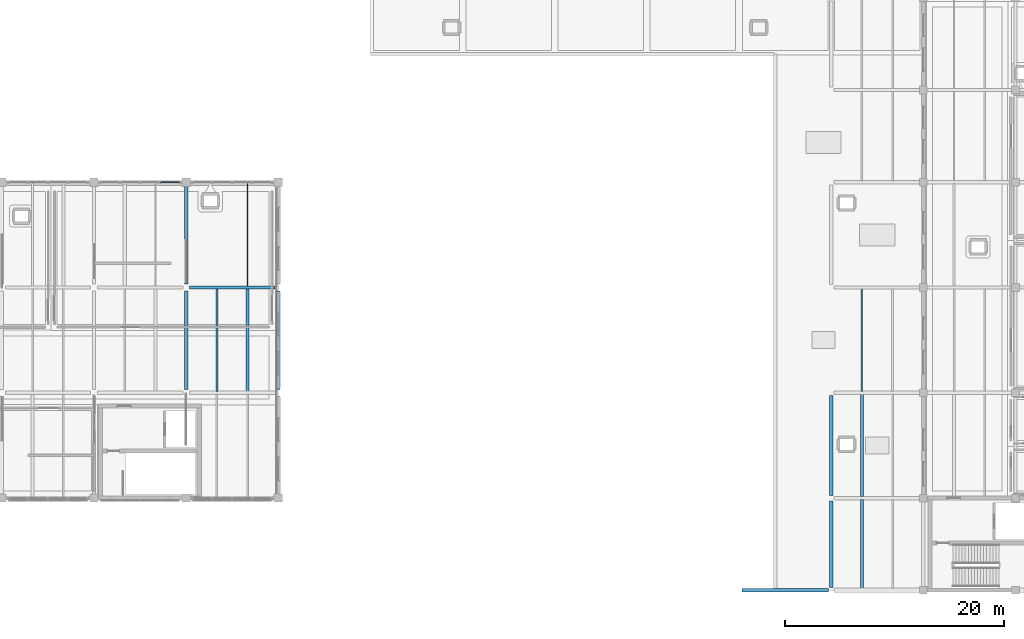
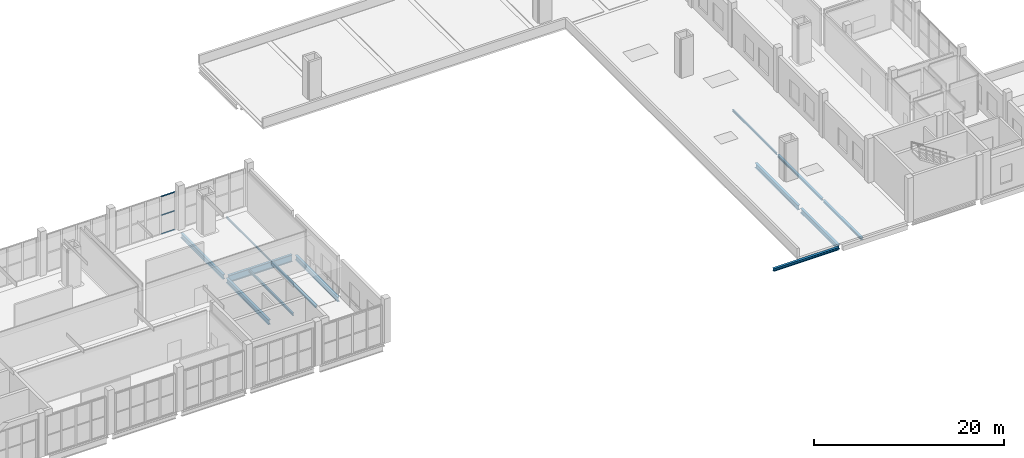
# One storey, part 17 of 49: 13 beams, 3 members, 1 element without a shape of its own.
"""IFC4 building model written with IfcOpenShell, lengths in metres."""

from ifc_helpers import new_model, si_unit, direction, frame, origin, origin_2d, place, context, subcontext, project, spatial, hollow_rectangle, i_section, extrude, material, layer, layer_set, material_profile, profile_set, type_object, element, aggregate, save


model = new_model("IFC4")

# Units and contexts
model_context = context("Model", 3, precision=1e-05, world=origin(), true_north=direction((0.0, 1.0)))
body_context = subcontext(model_context, "Body", "Model", "MODEL_VIEW")
ifc_project = project(units=[si_unit("LENGTHUNIT", "METRE"), si_unit("AREAUNIT", "SQUARE_METRE"), si_unit("VOLUMEUNIT", "CUBIC_METRE"), si_unit("PLANEANGLEUNIT", "RADIAN"), si_unit("MASSUNIT", "GRAM", prefix="KILO")], contexts=[model_context])

# Site, building, storey
site_placement = place(None, origin())
site = spatial("IfcSite", under=ifc_project, at=site_placement, CompositionType="ELEMENT")
building_placement = place(site_placement, origin())
building = spatial("IfcBuilding", under=site, at=building_placement, Name="Zulmaris Art Gallery", CompositionType="ELEMENT")
storey_placement = place(building_placement, frame((0.0, 0.0, 20.699951171875)))
storey = spatial("IfcBuildingStorey", under=building, at=storey_placement, Name="L04", CompositionType="ELEMENT", Elevation=20.699951171875)

# Beams
ifc_material_1 = material(Name="Steel S355J2", Category="steel")
ifc_material_profile_1 = material_profile(ifc_material_1, i_section(OverallWidth=0.300048828125, OverallDepth=0.590087890625, WebThickness=0.012939453125, FlangeThickness=0.02490234375, FilletRadius=0.027099609375, at=origin_2d()), Name="HEA 600")
ifc_profile_set_1 = profile_set([ifc_material_profile_1], Name="Steel S355J2")
beam_type_1 = type_object("IfcBeamType", Name="BEAM-BM12", PredefinedType="BEAM", material=ifc_profile_set_1)
beam_1_placement = place(storey_placement, frame((74.39990234375, 31.510009765625, -0.655029296875), z_axis=(0.0, 1.0, 0.0), x_axis=(-1.0, 0.0, 0.0)))
element("IfcBeam", 1, at=beam_1_placement, inside=storey, type_object=beam_type_1, Name="L04 Y-girder (x=74.4, 31.2..40.8)", PredefinedType="BEAM", context=body_context, shape_type="SweptSolid", body=[
    extrude(i_section(OverallWidth=0.300048828125, OverallDepth=0.590087890625, WebThickness=0.012939453125, FlangeThickness=0.02490234375, FilletRadius=0.027099609375, at=origin_2d()), origin(), (0.0, 0.0, 1.0), 8.97998046875),
])
beam_2_placement = place(storey_placement, frame((133.199951171875, 13.4599609375, -0.655029296875), z_axis=(0.0, 1.0, 0.0), x_axis=(-1.0, 0.0, 0.0)))
element("IfcBeam", 2, at=beam_2_placement, inside=storey, type_object=beam_type_1, Name="L04 Y-girder (x=133.2, 13.2..21.6)", PredefinedType="BEAM", context=body_context, shape_type="SweptSolid", body=[
    extrude(i_section(OverallWidth=0.300048828125, OverallDepth=0.590087890625, WebThickness=0.012939453125, FlangeThickness=0.02490234375, FilletRadius=0.027099609375, at=origin_2d()), origin(), (0.0, 0.0, 1.0), 7.880126953125),
])
ifc_material_profile_2 = material_profile(ifc_material_1, i_section(OverallWidth=0.300048828125, OverallDepth=0.60009765625, WebThickness=0.015380859375, FlangeThickness=0.030029296875, FilletRadius=0.027099609375, at=origin_2d()), Name="HEB 600")
ifc_profile_set_2 = profile_set([ifc_material_profile_2], Name="Steel S355J2")
beam_type_2 = type_object("IfcBeamType", Name="BEAM-BM15", PredefinedType="BEAM", material=ifc_profile_set_2)
beam_3_placement = place(storey_placement, frame((74.39990234375, 41.110107421875, -0.659912109375), z_axis=(0.0, 1.0, 0.0), x_axis=(-1.0, 0.0, 0.0)))
element("IfcBeam", 3, at=beam_3_placement, inside=storey, type_object=beam_type_2, Name="L04 Y-girder (x=74.4, 40.8..50.4)", PredefinedType="BEAM", context=body_context, shape_type="SweptSolid", body=[
    extrude(i_section(OverallWidth=0.300048828125, OverallDepth=0.60009765625, WebThickness=0.015380859375, FlangeThickness=0.030029296875, FilletRadius=0.027099609375, at=origin_2d()), origin(), (0.0, 0.0, 1.0), 8.929931640625),
])
beam_4_placement = place(storey_placement, frame((82.800048828125, 31.510009765625, -0.659912109375), z_axis=(0.0, 1.0, 0.0), x_axis=(-1.0, 0.0, 0.0)))
element("IfcBeam", 4, at=beam_4_placement, inside=storey, type_object=beam_type_2, Name="L04 Y-girder (x=82.8, 31.2..40.8)", PredefinedType="BEAM", context=body_context, shape_type="SweptSolid", body=[
    extrude(i_section(OverallWidth=0.300048828125, OverallDepth=0.60009765625, WebThickness=0.015380859375, FlangeThickness=0.030029296875, FilletRadius=0.027099609375, at=origin_2d()), origin(), (0.0, 0.0, 1.0), 8.97998046875),
])
beam_5_placement = place(storey_placement, frame((133.199951171875, 21.860107421875, -0.659912109375), z_axis=(0.0, 1.0, 0.0), x_axis=(-1.0, 0.0, 0.0)))
element("IfcBeam", 5, at=beam_5_placement, inside=storey, type_object=beam_type_2, Name="L04 Y-girder (x=133.2, 21.6..31.2)", PredefinedType="BEAM", context=body_context, shape_type="SweptSolid", body=[
    extrude(i_section(OverallWidth=0.300048828125, OverallDepth=0.60009765625, WebThickness=0.015380859375, FlangeThickness=0.030029296875, FilletRadius=0.027099609375, at=origin_2d()), origin(), (0.0, 0.0, 1.0), 9.079833984375),
])
ifc_material_profile_3 = material_profile(ifc_material_1, i_section(OverallWidth=0.300048828125, OverallDepth=0.89990234375, WebThickness=0.0185546875, FlangeThickness=0.034912109375, FilletRadius=0.030029296875, at=origin_2d()), Name="HEB 900")
ifc_profile_set_3 = profile_set([ifc_material_profile_3], Name="Steel S355J2")
beam_type_3 = type_object("IfcBeamType", Name="BEAM-BM18", PredefinedType="BEAM", material=ifc_profile_set_3)
beam_6_placement = place(storey_placement, frame((74.7099609375, 40.800048828125, -0.81005859375), z_axis=(1.0, 0.0, 0.0), x_axis=(0.0, 1.0, 0.0)))
element("IfcBeam", 6, at=beam_6_placement, inside=storey, type_object=beam_type_3, Name="L04 X-girder (74.4..82.8, y=40.8)", PredefinedType="BEAM", context=body_context, shape_type="SweptSolid", body=[
    extrude(i_section(OverallWidth=0.300048828125, OverallDepth=0.89990234375, WebThickness=0.0185546875, FlangeThickness=0.034912109375, FilletRadius=0.030029296875, at=origin_2d()), origin(), (0.0, 0.0, 1.0), 7.780029296875),
])
ifc_material_profile_4 = material_profile(ifc_material_1, i_section(OverallWidth=0.1201171875, OverallDepth=0.239990234375, WebThickness=0.006103515625, FlangeThickness=0.009765625, FilletRadius=0.014892578125, at=origin_2d()), Name="IPE 240")
ifc_profile_set_4 = profile_set([ifc_material_profile_4], Name="Steel S355J2")
beam_type_4 = type_object("IfcBeamType", Name="BEAM-JS01", PredefinedType="JOIST", material=ifc_profile_set_4)
beam_7_placement = place(storey_placement, frame((80.0, 40.925048828125, -0.47998046875), z_axis=(0.0, 1.0, 0.0), x_axis=(-1.0, 0.0, 0.0)))
element("IfcBeam", 7, at=beam_7_placement, inside=storey, type_object=beam_type_4, Name="L04 secondary joist at x=80.0", PredefinedType="JOIST", context=body_context, shape_type="SweptSolid", body=[
    extrude(i_section(OverallWidth=0.1201171875, OverallDepth=0.239990234375, WebThickness=0.006103515625, FlangeThickness=0.009765625, FilletRadius=0.014892578125, at=origin_2d()), origin(), (0.0, 0.0, 1.0), 9.349853515625),
])
ifc_material_profile_5 = material_profile(ifc_material_1, i_section(OverallWidth=0.135009765625, OverallDepth=0.27001953125, WebThickness=0.006591796875, FlangeThickness=0.01025390625, FilletRadius=0.014892578125, at=origin_2d()), Name="IPE 270")
ifc_profile_set_5 = profile_set([ifc_material_profile_5], Name="Steel S355J2")
beam_type_5 = type_object("IfcBeamType", Name="BEAM-JS02", PredefinedType="JOIST", material=ifc_profile_set_5)
beam_8_placement = place(storey_placement, frame((136.0, 31.324951171875, -0.494873046875), z_axis=(0.0, 1.0, 0.0), x_axis=(-1.0, 0.0, 0.0)))
element("IfcBeam", 8, at=beam_8_placement, inside=storey, type_object=beam_type_5, Name="L04 secondary joist at x=136.0", PredefinedType="JOIST", context=body_context, shape_type="SweptSolid", body=[
    extrude(i_section(OverallWidth=0.135009765625, OverallDepth=0.27001953125, WebThickness=0.006591796875, FlangeThickness=0.01025390625, FilletRadius=0.014892578125, at=origin_2d()), origin(), (0.0, 0.0, 1.0), 9.35009765625),
])
ifc_material_profile_6 = material_profile(ifc_material_1, i_section(OverallWidth=0.159912109375, OverallDepth=0.330078125, WebThickness=0.007568359375, FlangeThickness=0.011474609375, FilletRadius=0.01806640625, at=origin_2d()), Name="IPE 330")
ifc_profile_set_6 = profile_set([ifc_material_profile_6], Name="Steel S355J2")
beam_type_6 = type_object("IfcBeamType", Name="BEAM-JS03", PredefinedType="JOIST", material=ifc_profile_set_6)
beam_9_placement = place(storey_placement, frame((77.199951171875, 31.324951171875, -0.52490234375), z_axis=(0.0, 1.0, 0.0), x_axis=(-1.0, 0.0, 0.0)))
element("IfcBeam", 9, at=beam_9_placement, inside=storey, type_object=beam_type_6, Name="L04 secondary joist at x=77.2", PredefinedType="JOIST", context=body_context, shape_type="SweptSolid", body=[
    extrude(i_section(OverallWidth=0.159912109375, OverallDepth=0.330078125, WebThickness=0.007568359375, FlangeThickness=0.011474609375, FilletRadius=0.01806640625, at=origin_2d()), origin(), (0.0, 0.0, 1.0), 9.35009765625),
])
ifc_material_profile_7 = material_profile(ifc_material_1, i_section(OverallWidth=0.280029296875, OverallDepth=0.27001953125, WebThickness=0.008056640625, FlangeThickness=0.012939453125, FilletRadius=0.02392578125, at=origin_2d()), Name="HEA 280")
ifc_profile_set_7 = profile_set([ifc_material_profile_7], Name="Steel S355J2")
beam_type_7 = type_object("IfcBeamType", Name="BEAM-JS04", PredefinedType="JOIST", material=ifc_profile_set_7)
beam_10_placement = place(storey_placement, frame((80.0, 31.324951171875, -0.494873046875), z_axis=(0.0, 1.0, 0.0), x_axis=(-1.0, 0.0, 0.0)))
element("IfcBeam", 10, at=beam_10_placement, inside=storey, type_object=beam_type_7, Name="L04 secondary joist at x=80.0", PredefinedType="JOIST", context=body_context, shape_type="SweptSolid", body=[
    extrude(i_section(OverallWidth=0.280029296875, OverallDepth=0.27001953125, WebThickness=0.008056640625, FlangeThickness=0.012939453125, FilletRadius=0.02392578125, at=origin_2d()), origin(), (0.0, 0.0, 1.0), 9.35009765625),
])
beam_11_placement = place(storey_placement, frame((136.0, 13.375, -0.494873046875), z_axis=(0.0, 1.0, 0.0), x_axis=(-1.0, 0.0, 0.0)))
element("IfcBeam", 11, at=beam_11_placement, inside=storey, type_object=beam_type_7, Name="L04 secondary joist at x=136.0", PredefinedType="JOIST", context=body_context, shape_type="SweptSolid", body=[
    extrude(i_section(OverallWidth=0.280029296875, OverallDepth=0.27001953125, WebThickness=0.008056640625, FlangeThickness=0.012939453125, FilletRadius=0.02392578125, at=origin_2d()), origin(), (0.0, 0.0, 1.0), 8.10009765625),
])
beam_12_placement = place(storey_placement, frame((136.0, 21.72509765625, -0.494873046875), z_axis=(0.0, 1.0, 0.0), x_axis=(-1.0, 0.0, 0.0)))
element("IfcBeam", 12, at=beam_12_placement, inside=storey, type_object=beam_type_7, Name="L04 secondary joist at x=136.0", PredefinedType="JOIST", context=body_context, shape_type="SweptSolid", body=[
    extrude(i_section(OverallWidth=0.280029296875, OverallDepth=0.27001953125, WebThickness=0.008056640625, FlangeThickness=0.012939453125, FilletRadius=0.02392578125, at=origin_2d()), origin(), (0.0, 0.0, 1.0), 9.349853515625),
])
ifc_material_profile_8 = material_profile(ifc_material_1, i_section(OverallWidth=0.300048828125, OverallDepth=0.35009765625, WebThickness=0.010009765625, FlangeThickness=0.017578125, FilletRadius=0.027099609375, at=origin_2d()), Name="HEA 360")
ifc_profile_set_8 = profile_set([ifc_material_profile_8], Name="Steel S355J2")
beam_type_8 = type_object("IfcBeamType", Name="BEAM-SP01", PredefinedType="SPANDREL", material=ifc_profile_set_8)
beam_13_placement = place(storey_placement, frame((125.06005859375, 13.199951171875, -0.534912109375), z_axis=(1.0, 0.0, 0.0), x_axis=(0.0, 1.0, 0.0)))
element("IfcBeam", 13, at=beam_13_placement, inside=storey, type_object=beam_type_8, Name="L04 X-girder (124.8..133.2, y=13.2)", PredefinedType="SPANDREL", context=body_context, shape_type="SweptSolid", body=[
    extrude(i_section(OverallWidth=0.300048828125, OverallDepth=0.35009765625, WebThickness=0.010009765625, FlangeThickness=0.017578125, FilletRadius=0.027099609375, at=origin_2d()), origin(), (0.0, 0.0, 1.0), 7.8798828125),
])

# Curtain wall, members
ifc_material_2 = material(Name="Unitised Low-E Gallery Curtain Wall", Category="aluminium")
ifc_layer = layer(ifc_material_2, 0.179931640625)
ifc_layer_set = layer_set([ifc_layer], Name="Unitised Low-E Gallery Curtain Wall")
curtain_wall_type = type_object("IfcCurtainWallType", Name="CW-CW01", PredefinedType="NOTDEFINED", material=ifc_layer_set)
curtain_wall_placement = place(storey_placement, origin())
curtain_wall = element("IfcCurtainWall", 14, at=curtain_wall_placement, inside=storey, type_object=curtain_wall_type, Name="L04 curtain wall 32", PredefinedType="NOTDEFINED")
ifc_material_3 = material(Name="Anodised Bronze Aluminium", Category="aluminium")
ifc_material_profile_9 = material_profile(ifc_material_3, hollow_rectangle(XDim=0.06494140625, YDim=0.14990234375, WallThickness=0.00390625, InnerFilletRadius=0.006103515625, OuterFilletRadius=0.010009765625, at=origin_2d()), Name="ALU 65x150x4")
ifc_profile_set_9 = profile_set([ifc_material_profile_9], Name="Anodised Bronze Aluminium")
member_type = type_object("IfcMemberType", Name="CWTRN-01", PredefinedType="USERDEFINED", material=ifc_profile_set_9)
member_1_placement = place(storey_placement, frame((73.784912109375, 50.39990234375, 0.03759765625), z_axis=(-1.0, 0.0, 0.0), x_axis=(0.0, -1.0, 0.0)))
member_1 = element("IfcMember", 15, at=member_1_placement, type_object=member_type, Name="CW01 transom 1.1", ObjectType="TRANSOM", PredefinedType="USERDEFINED", context=body_context, shape_type="SweptSolid", body=[
    extrude(hollow_rectangle(XDim=0.06494140625, YDim=0.14990234375, WallThickness=0.00390625, InnerFilletRadius=0.006103515625, OuterFilletRadius=0.010009765625, at=origin_2d()), origin(), (0.0, 0.0, 1.0), 1.717529296875),
])
member_2_placement = place(storey_placement, frame((73.784912109375, 50.39990234375, 2.449951171875), z_axis=(-1.0, 0.0, 0.0), x_axis=(0.0, -1.0, 0.0)))
member_2 = element("IfcMember", 16, at=member_2_placement, type_object=member_type, Name="CW01 transom 1.2", ObjectType="TRANSOM", PredefinedType="USERDEFINED", context=body_context, shape_type="SweptSolid", body=[
    extrude(hollow_rectangle(XDim=0.06494140625, YDim=0.14990234375, WallThickness=0.00390625, InnerFilletRadius=0.006103515625, OuterFilletRadius=0.010009765625, at=origin_2d()), origin(), (0.0, 0.0, 1.0), 1.717529296875),
])
member_3_placement = place(storey_placement, frame((73.784912109375, 50.39990234375, 4.862548828125), z_axis=(-1.0, 0.0, 0.0), x_axis=(0.0, -1.0, 0.0)))
member_3 = element("IfcMember", 17, at=member_3_placement, type_object=member_type, Name="CW01 transom 1.3", ObjectType="TRANSOM", PredefinedType="USERDEFINED", context=body_context, shape_type="SweptSolid", body=[
    extrude(hollow_rectangle(XDim=0.06494140625, YDim=0.14990234375, WallThickness=0.00390625, InnerFilletRadius=0.006103515625, OuterFilletRadius=0.010009765625, at=origin_2d()), origin(), (0.0, 0.0, 1.0), 1.717529296875),
])
aggregate(curtain_wall, [member_1, member_2, member_3])

save(model, "model.ifc")
